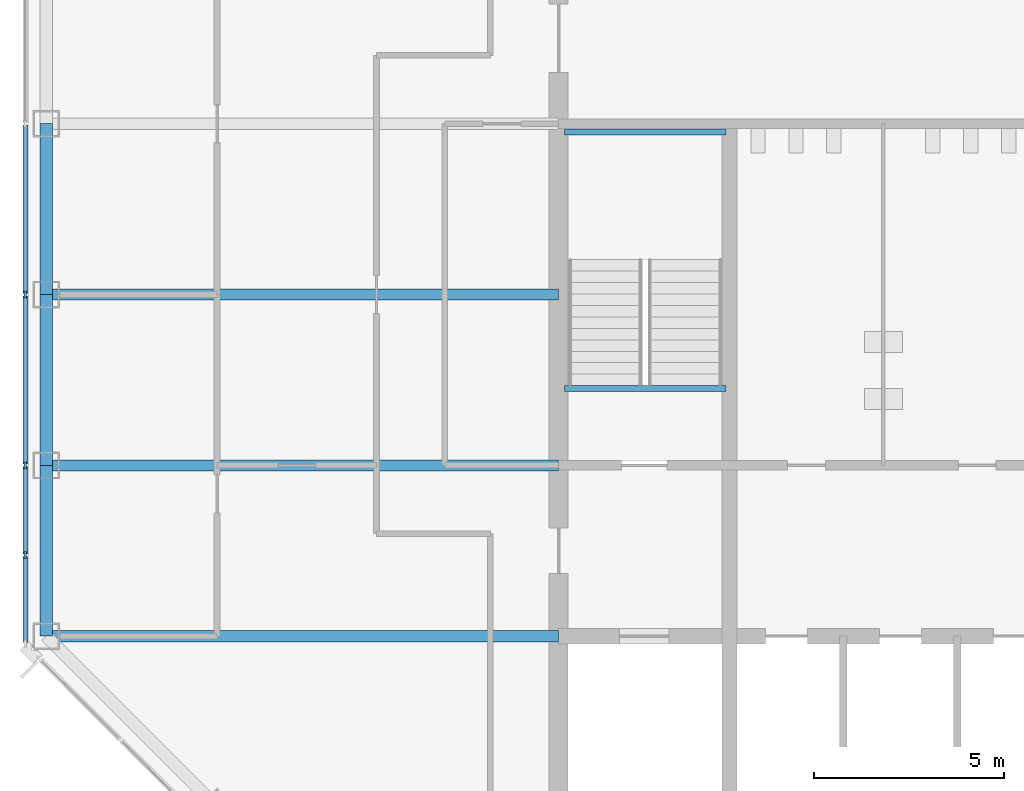
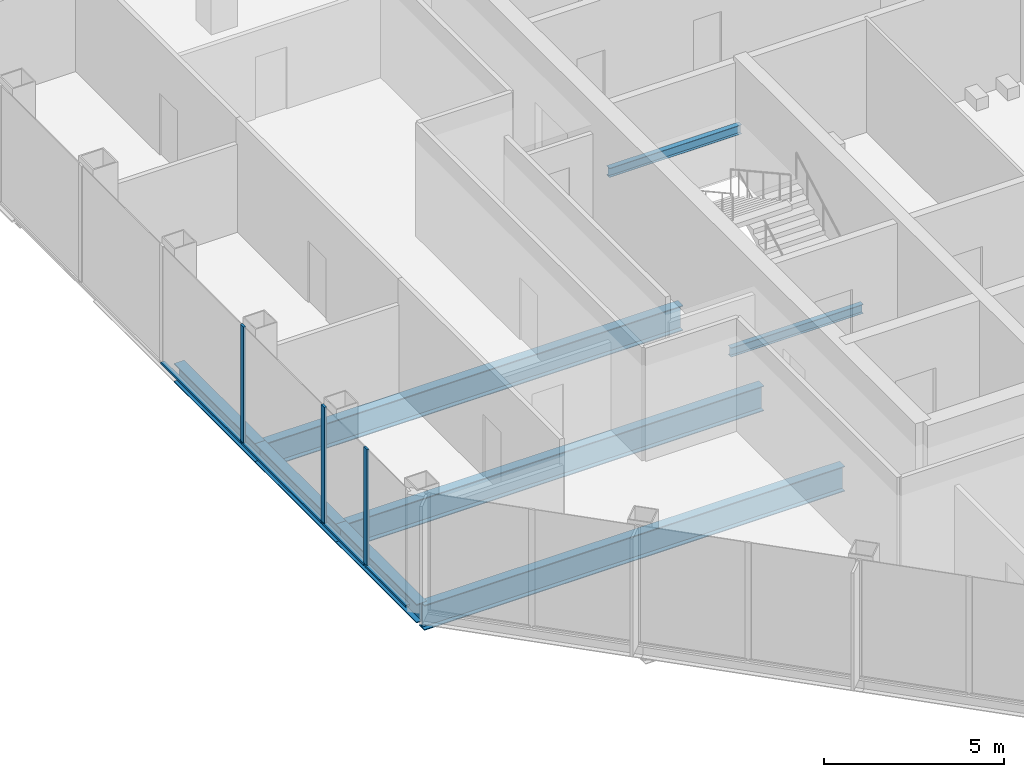
# One storey, part 3 of 13: 8 beams, 7 members, 1 element without a shape of its own.
"""IFC4 building model written with IfcOpenShell, lengths in metres."""

from ifc_helpers import new_model, si_unit, direction, frame, origin, origin_2d, place, context, subcontext, project, spatial, rectangle, i_section, extrude, material, material_profile, profile_set, type_object, element, aggregate, save


model = new_model("IFC4")

# Units and contexts
model_context = context("Model", 3, precision=1e-05, world=origin(), true_north=direction((0.0, 1.0)))
body_context = subcontext(model_context, "Body", "Model", "MODEL_VIEW")
ifc_project = project(units=[si_unit("LENGTHUNIT", "METRE"), si_unit("AREAUNIT", "SQUARE_METRE"), si_unit("VOLUMEUNIT", "CUBIC_METRE"), si_unit("PLANEANGLEUNIT", "RADIAN"), si_unit("MASSUNIT", "GRAM", prefix="KILO")], contexts=[model_context])

# Site, building, storey
site_placement = place(None, origin())
site = spatial("IfcSite", under=ifc_project, at=site_placement, CompositionType="ELEMENT")
building_placement = place(site_placement, origin())
building = spatial("IfcBuilding", under=site, at=building_placement, Name="Corais Broadcast Tower", CompositionType="ELEMENT")
storey_placement = place(building_placement, frame((0.0, 0.0, 179.60009765625)))
storey = spatial("IfcBuildingStorey", under=building, at=storey_placement, Name="L41", CompositionType="ELEMENT", Elevation=179.60009765625)

# Beams
ifc_material_1 = material(Name="Steel ASTM A572 Grade 50", Category="steel")
ifc_material_profile_1 = material_profile(ifc_material_1, i_section(OverallWidth=0.2939453125, OverallDepth=0.85107421875, WebThickness=0.01611328125, FlangeThickness=0.02685546875, at=origin_2d()), Name="W840x226")
ifc_profile_set_1 = profile_set([ifc_material_profile_1], Name="Steel ASTM A572 Grade 50")
beam_type_1 = type_object("IfcBeamType", Name="Floor beam W840x226", PredefinedType="BEAM", material=ifc_profile_set_1)
for number, where, z_axis, x_axis, name in (
    (1, (0.0, 18.0, -0.585693359375), (1.0, 0.0, 0.0), (0.0, 1.0, 0.0), "B1 E/3 to E/6"),
    (2, (0.0, 22.5, -0.585693359375), (1.0, 0.0, 0.0), (0.0, 1.0, 0.0), "B1 F/3 to F/6"),
    (3, (0.0, 27.0, -0.585693359375), (1.0, 0.0, 0.0), (0.0, 1.0, 0.0), "B1 G/3 to G/6"),
):
    element("IfcBeam", number, at=place(storey_placement, frame(where, z_axis=z_axis, x_axis=x_axis)), inside=storey, type_object=beam_type_1, Name=name, PredefinedType="BEAM", context=body_context, shape_type="SweptSolid", body=[
        extrude(i_section(OverallWidth=0.2939453125, OverallDepth=0.85107421875, WebThickness=0.01611328125, FlangeThickness=0.02685546875, at=origin_2d()), origin(), (0.0, 0.0, 1.0), 13.5),
    ])
ifc_material_2 = material(Name="Steel ASTM A572 Grade 50", Category="steel")
ifc_material_profile_2 = material_profile(ifc_material_2, i_section(OverallWidth=0.1650390625, OverallDepth=0.31005859375, WebThickness=0.005859375, FlangeThickness=0.009765625, at=origin_2d()), Name="W310x38.7")
ifc_profile_set_2 = profile_set([ifc_material_profile_2], Name="Steel ASTM A572 Grade 50")
beam_type_2 = type_object("IfcBeamType", Name="Landing trimmer W310x38.7", PredefinedType="BEAM", material=ifc_profile_set_2)
for number, where, z_axis, x_axis, name in (
    (4, (13.64990234375, 24.52490234375, -0.35498046875), (1.0, 0.0, 0.0), (0.0, 1.0, 0.0), "LT1 stair A landing trimmer L41"),
    (5, (13.64990234375, 31.284912109375, 1.64501953125), (1.0, 0.0, 0.0), (0.0, 1.0, 0.0), "LT1 stair A half landing trimmer L41"),
):
    element("IfcBeam", number, at=place(storey_placement, frame(where, z_axis=z_axis, x_axis=x_axis)), inside=storey, type_object=beam_type_2, Name=name, PredefinedType="BEAM", context=body_context, shape_type="SweptSolid", body=[
        extrude(i_section(OverallWidth=0.1650390625, OverallDepth=0.31005859375, WebThickness=0.005859375, FlangeThickness=0.009765625, at=origin_2d()), origin(), (0.0, 0.0, 1.0), 4.25),
    ])

# Curtain wall, members
ifc_material_3 = material(Name="Aluminium and glass", Category="aluminium")
curtain_wall_type = type_object("IfcCurtainWallType", Name="Unitised fritted curtain wall CW2", PredefinedType="NOTDEFINED", material=ifc_material_3)
curtain_wall_placement = place(storey_placement, origin())
curtain_wall = element("IfcCurtainWall", 6, at=curtain_wall_placement, inside=storey, type_object=curtain_wall_type, Name="CW2 curtain wall L41 2", PredefinedType="NOTDEFINED")
ifc_material_4 = material(Name="Aluminium 6063-T6", Category="aluminium")
ifc_material_profile_3 = material_profile(ifc_material_4, rectangle(XDim=0.06494140625, YDim=0.179931640625, at=origin_2d()), Name="Mullion CW2 65x180")
ifc_profile_set_3 = profile_set([ifc_material_profile_3], Name="Aluminium 6063-T6")
member_type_1 = type_object("IfcMemberType", Name="Mullion CW2 65x180", PredefinedType="MULLION", material=ifc_profile_set_3)
member_1_placement = place(storey_placement, frame((-0.550048828125, 20.135986328125, 0.0), z_axis=(0.0, 0.0, 1.0), x_axis=(-1.0, 0.0, 0.0)))
member_1 = element("IfcMember", 7, at=member_1_placement, type_object=member_type_1, Name="CW2 mullion 2", PredefinedType="MULLION", context=body_context, shape_type="SweptSolid", body=[
    extrude(rectangle(XDim=0.06494140625, YDim=0.179931640625, at=origin_2d()), origin(), (0.0, 0.0, 1.0), 4.0),
])
member_2_placement = place(storey_placement, frame((-0.550048828125, 22.5, 0.0), z_axis=(0.0, 0.0, 1.0), x_axis=(-1.0, 0.0, 0.0)))
member_2 = element("IfcMember", 8, at=member_2_placement, type_object=member_type_1, Name="CW2 mullion 3", PredefinedType="MULLION", context=body_context, shape_type="SweptSolid", body=[
    extrude(rectangle(XDim=0.06494140625, YDim=0.179931640625, at=origin_2d()), origin(), (0.0, 0.0, 1.0), 4.0),
])
member_3_placement = place(storey_placement, frame((-0.550048828125, 27.0, 0.0), z_axis=(0.0, 0.0, 1.0), x_axis=(-1.0, 0.0, 0.0)))
member_3 = element("IfcMember", 9, at=member_3_placement, type_object=member_type_1, Name="CW2 mullion 4", PredefinedType="MULLION", context=body_context, shape_type="SweptSolid", body=[
    extrude(rectangle(XDim=0.06494140625, YDim=0.179931640625, at=origin_2d()), origin(), (0.0, 0.0, 1.0), 4.0),
])

# Beams
ifc_material_5 = material(Name="Steel ASTM A572 Grade 50", Category="steel")
ifc_material_profile_4 = material_profile(ifc_material_5, i_section(OverallWidth=0.3291015625, OverallDepth=0.635009765625, WebThickness=0.017822265625, FlangeThickness=0.031005859375, at=origin_2d()), Name="W610x241")
ifc_profile_set_4 = profile_set([ifc_material_profile_4], Name="Steel ASTM A572 Grade 50")
beam_type_3 = type_object("IfcBeamType", Name="Spandrel W610x241", PredefinedType="BEAM", material=ifc_profile_set_4)
for number, where, z_axis, x_axis, name in (
    (10, (0.0, 22.5, -0.4775390625), (0.0, -1.0, 0.0), (1.0, 0.0, 0.0), "SB1 F/3 to E/3"),
    (11, (0.0, 27.0, -0.4775390625), (0.0, -1.0, 0.0), (1.0, 0.0, 0.0), "SB1 G/3 to F/3"),
    (12, (0.0, 31.5, -0.4775390625), (0.0, -1.0, 0.0), (1.0, 0.0, 0.0), "SB1 H/3 to G/3"),
):
    element("IfcBeam", number, at=place(storey_placement, frame(where, z_axis=z_axis, x_axis=x_axis)), inside=storey, type_object=beam_type_3, Name=name, PredefinedType="BEAM", context=body_context, shape_type="SweptSolid", body=[
        extrude(i_section(OverallWidth=0.3291015625, OverallDepth=0.635009765625, WebThickness=0.017822265625, FlangeThickness=0.031005859375, at=origin_2d()), origin(), (0.0, 0.0, 1.0), 4.5),
    ])

# Member
ifc_material_6 = material(Name="Aluminium 6063-T6", Category="aluminium")
ifc_material_profile_5 = material_profile(ifc_material_6, rectangle(XDim=0.1298828125, YDim=0.06494140625, at=origin_2d()), Name="Transom CW2 65x130")
ifc_profile_set_5 = profile_set([ifc_material_profile_5], Name="Aluminium 6063-T6")
member_type_2 = type_object("IfcMemberType", Name="Transom CW2 65x130", PredefinedType="USERDEFINED", material=ifc_profile_set_5)
member_4_placement = place(storey_placement, frame((-0.550048828125, 17.837158203125, 0.032470703125), z_axis=(0.0, 1.0, 0.0), x_axis=(-1.0, 0.0, 0.0)))
member_4 = element("IfcMember", 13, at=member_4_placement, type_object=member_type_2, Name="CW2 transom 1.1", ObjectType="TRANSOM", PredefinedType="USERDEFINED", context=body_context, shape_type="SweptSolid", body=[
    extrude(rectangle(XDim=0.1298828125, YDim=0.06494140625, at=origin_2d()), origin(), (0.0, 0.0, 1.0), 2.266357421875),
])

member_5_placement = place(storey_placement, frame((-0.550048828125, 20.168701171875, 0.032470703125), z_axis=(0.0, 1.0, 0.0), x_axis=(-1.0, 0.0, 0.0)))
member_5 = element("IfcMember", 14, at=member_5_placement, type_object=member_type_2, Name="CW2 transom 2.1", ObjectType="TRANSOM", PredefinedType="USERDEFINED", context=body_context, shape_type="SweptSolid", body=[
    extrude(rectangle(XDim=0.1298828125, YDim=0.06494140625, at=origin_2d()), origin(), (0.0, 0.0, 1.0), 2.298828125),
])

member_6_placement = place(storey_placement, frame((-0.550048828125, 22.532470703125, 0.032470703125), z_axis=(0.0, 1.0, 0.0), x_axis=(-1.0, 0.0, 0.0)))
member_6 = element("IfcMember", 15, at=member_6_placement, type_object=member_type_2, Name="CW2 transom 3.1", ObjectType="TRANSOM", PredefinedType="USERDEFINED", context=body_context, shape_type="SweptSolid", body=[
    extrude(rectangle(XDim=0.1298828125, YDim=0.06494140625, at=origin_2d()), origin(), (0.0, 0.0, 1.0), 4.43505859375),
])

member_7_placement = place(storey_placement, frame((-0.550048828125, 27.032470703125, 0.032470703125), z_axis=(0.0, 1.0, 0.0), x_axis=(-1.0, 0.0, 0.0)))
member_7 = element("IfcMember", 16, at=member_7_placement, type_object=member_type_2, Name="CW2 transom 4.1", ObjectType="TRANSOM", PredefinedType="USERDEFINED", context=body_context, shape_type="SweptSolid", body=[
    extrude(rectangle(XDim=0.1298828125, YDim=0.06494140625, at=origin_2d()), origin(), (0.0, 0.0, 1.0), 4.43505859375),
])

aggregate(curtain_wall, [member_1, member_2, member_3, member_4, member_5, member_6, member_7])

save(model, "model.ifc")
